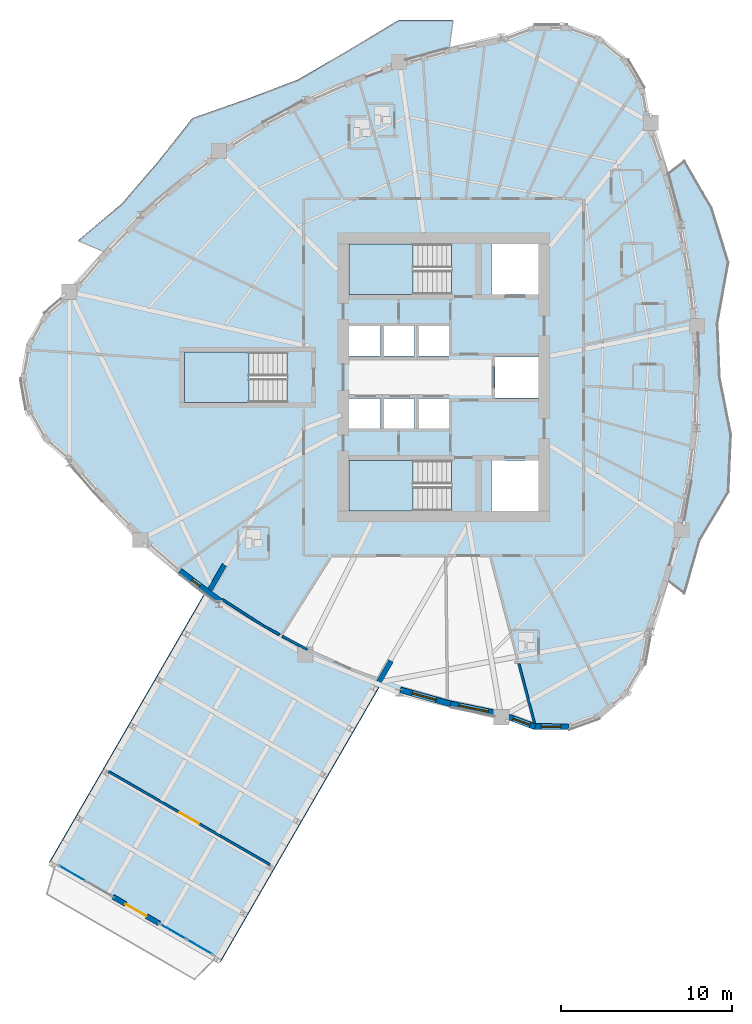
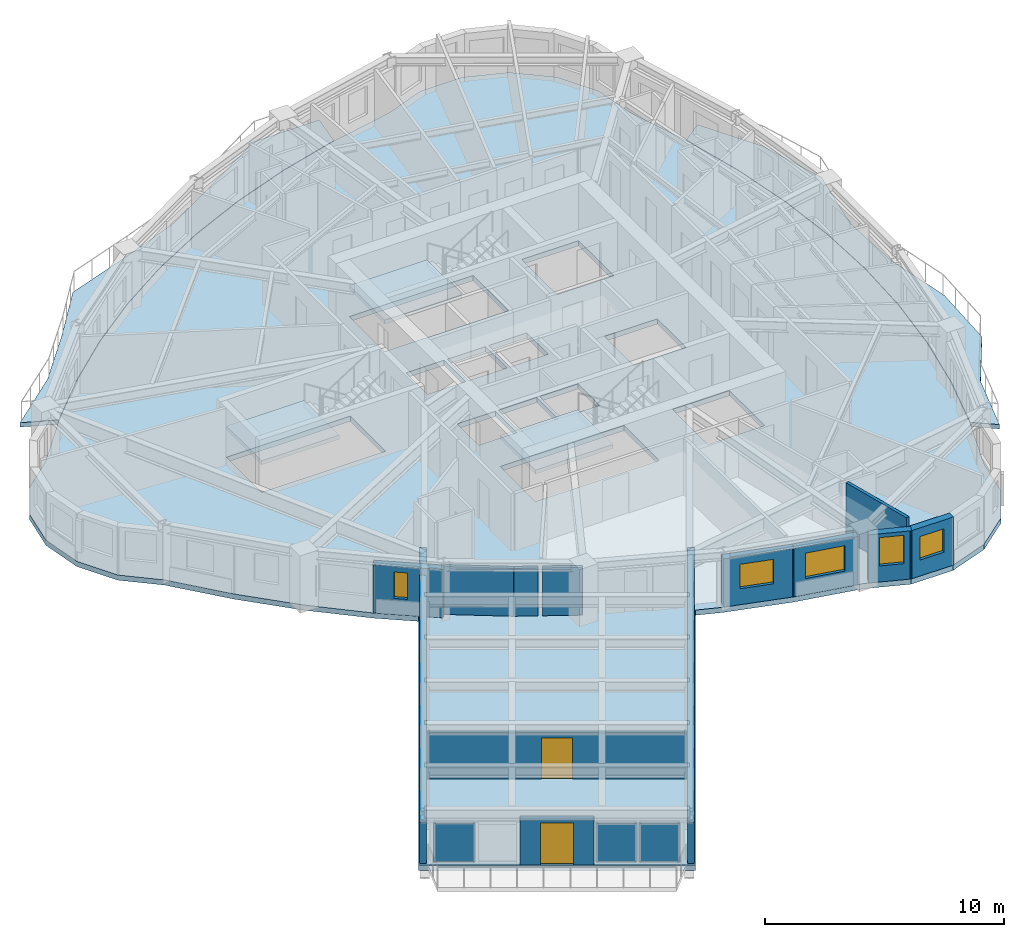
# One storey, part 4 of 17: 13 walls, 6 slabs, 5 windows, 3 plates, 2 doors, 7 openings, 5 elements without a shape of their own.
"""IFC4 building model written with IfcOpenShell, lengths in metres."""

import ifcopenshell
import ifcopenshell.guid

model = None  # the IFC model being written
_history = None  # IfcOwnerHistory: only IFC2X3 demands one
_inside = {}  # id of a spatial element -> (the spatial element, [elements in it])
_under = {}  # id of a project, library or spatial element -> (it, [spatial elements below it])
_declared = {}  # id of a project -> (the project, [libraries it declares])
_typed = {}  # id of a type object -> (the type object, [elements of that type])
_made_of = {}  # id of a material, layer set ... -> (it, [elements and type objects made of it])


def new_model(schema):
    """Start an empty IFC model of exactly this schema.

    Asked for "IFC4X3", IfcOpenShell would pick the latest addendum, in which some entities
    have other attributes; the version numbers below select the first issue.
    IFC2X3 requires an IfcOwnerHistory on every rooted entity: one is made here for all.
    """
    global model, _history
    if schema == "IFC4X3":
        model = ifcopenshell.file(schema_version=(4, 3, 0, 0))
    else:
        model = ifcopenshell.file(schema=schema)
    _inside.clear()
    _under.clear()
    _declared.clear()
    _typed.clear()
    _made_of.clear()
    _history = None
    if model.schema == "IFC2X3":
        org = make("IfcOrganization", Name="unknown")
        user = make(
            "IfcPersonAndOrganization",
            ThePerson=make("IfcPerson", FamilyName="unknown"),
            TheOrganization=org,
        )
        app = make(
            "IfcApplication",
            ApplicationDeveloper=org,
            Version="unknown",
            ApplicationFullName="unknown",
            ApplicationIdentifier="unknown",
        )
        _history = make(
            "IfcOwnerHistory",
            OwningUser=user,
            OwningApplication=app,
            ChangeAction="ADDED",
            CreationDate=0,
        )
    return model


def make(cls, **values):
    """One entity of the class cls with the attributes given. An attribute that is None is left unset."""
    return model.create_entity(
        cls, **{name: value for name, value in values.items() if value is not None}
    )


def rooted(cls, **values):
    """An entity with a GlobalId (a new one), such as an element, a storey or a relation."""
    return make(cls, GlobalId=ifcopenshell.guid.new(), OwnerHistory=_history, **values)


def si_unit(unit_type, name, prefix=None):
    """IfcSIUnit, for example si_unit("LENGTHUNIT", "METRE", prefix="MILLI")."""
    return make("IfcSIUnit", UnitType=unit_type, Prefix=prefix, Name=name)


def assignment(units):
    """IfcUnitAssignment: the units of a project."""
    return None if units is None else make("IfcUnitAssignment", Units=units)


def point(xyz):
    """IfcCartesianPoint."""
    return None if xyz is None else make("IfcCartesianPoint", Coordinates=xyz)


def direction(xyz):
    """IfcDirection."""
    return None if xyz is None else make("IfcDirection", DirectionRatios=xyz)


def frame(location, z_axis=None, x_axis=None):
    """IfcAxis2Placement3D, a coordinate frame: its origin and axes. An axis left out is left unset."""
    return make(
        "IfcAxis2Placement3D",
        Location=point(location),
        Axis=direction(z_axis),
        RefDirection=direction(x_axis),
    )


def frame_2d(location, x_axis=None):
    """IfcAxis2Placement2D, a coordinate frame in the plane: its origin and x axis."""
    return make(
        "IfcAxis2Placement2D", Location=point(location), RefDirection=direction(x_axis)
    )


def origin():
    """The frame at (0, 0, 0) with its axes left unset."""
    return frame((0.0, 0.0, 0.0))


def origin_2d():
    """The frame at (0, 0) in the plane with its x axis left unset."""
    return frame_2d((0.0, 0.0))


def place(relative_to, where):
    """IfcLocalPlacement: puts the frame where relative to a parent placement (None: the world)."""
    return make(
        "IfcLocalPlacement", PlacementRelTo=relative_to, RelativePlacement=where
    )


def context(
    kind, dimensions, precision=None, world=None, true_north=None, identifier=None
):
    """IfcGeometricRepresentationContext, for example the 3D "Model" context."""
    return make(
        "IfcGeometricRepresentationContext",
        ContextIdentifier=identifier,
        ContextType=kind,
        CoordinateSpaceDimension=dimensions,
        Precision=precision,
        WorldCoordinateSystem=world,
        TrueNorth=true_north,
    )


def subcontext(parent, identifier, kind, view, scale=None):
    """IfcGeometricRepresentationSubContext, for example "Body" below "Model"."""
    return make(
        "IfcGeometricRepresentationSubContext",
        ContextIdentifier=identifier,
        ContextType=kind,
        ParentContext=parent,
        TargetScale=scale,
        TargetView=view,
    )


def project(units=None, contexts=None):
    """IfcProject with its units and contexts."""
    return rooted(
        "IfcProject",
        Name="project",
        RepresentationContexts=contexts,
        UnitsInContext=assignment(units),
    )


def spatial(cls, under=None, at=None, **own):
    """A site, building, storey or space (cls), placed at a placement, below another one or the project."""
    s = rooted(cls, ObjectPlacement=at, **own)
    if under is not None:
        _under.setdefault(under.id(), (under, []))[1].append(s)
    return s


def polyline(points):
    """IfcPolyline through the points."""
    return make("IfcPolyline", Points=[point(p) for p in points])


def profile(cls, at=None, kind="AREA", **sizes):
    """A parametric profile (cls). Its sizes go by their IFC names, for example OverallWidth=200.0."""
    return make(cls, ProfileType=kind, Position=at, **sizes)


def rectangle(**sizes):
    """IfcRectangleProfileDef."""
    return profile("IfcRectangleProfileDef", **sizes)


def outline(outer, holes=None, kind="AREA"):
    """IfcArbitraryClosedProfileDef: a profile drawn as a closed curve; with holes, ...WithVoids."""
    if holes is None:
        return make("IfcArbitraryClosedProfileDef", ProfileType=kind, OuterCurve=outer)
    return make(
        "IfcArbitraryProfileDefWithVoids",
        ProfileType=kind,
        OuterCurve=outer,
        InnerCurves=holes,
    )


def extrude(swept, where, along, depth):
    """IfcExtrudedAreaSolid: the profile swept, set in the frame where, extruded along a direction by depth."""
    return make(
        "IfcExtrudedAreaSolid",
        SweptArea=swept,
        Position=where,
        ExtrudedDirection=direction(along),
        Depth=depth,
    )


def shape(context_of_items, identifier, shape_type, items):
    """IfcShapeRepresentation: the items that make up one representation, for example the "Body"."""
    return make(
        "IfcShapeRepresentation",
        ContextOfItems=context_of_items,
        RepresentationIdentifier=identifier,
        RepresentationType=shape_type,
        Items=items,
    )


def source(mapping_origin, context_of_items, identifier, shape_type, items):
    """IfcRepresentationMap: a shape defined once, which mapped items show again and again."""
    return make(
        "IfcRepresentationMap",
        MappingOrigin=mapping_origin,
        MappedRepresentation=shape(context_of_items, identifier, shape_type, items),
    )


def transform(
    local_origin,
    x_axis=None,
    y_axis=None,
    z_axis=None,
    scale=None,
    scale2=None,
    scale3=None,
    uniform=True,
):
    """IfcCartesianTransformationOperator3D, or its non-uniform kind. x_axis, y_axis, z_axis: its Axis1, 2, 3."""
    if uniform:
        return make(
            "IfcCartesianTransformationOperator3D",
            Axis1=direction(x_axis),
            Axis2=direction(y_axis),
            LocalOrigin=point(local_origin),
            Scale=scale,
            Axis3=direction(z_axis),
        )
    return make(
        "IfcCartesianTransformationOperator3DnonUniform",
        Axis1=direction(x_axis),
        Axis2=direction(y_axis),
        LocalOrigin=point(local_origin),
        Scale=scale,
        Axis3=direction(z_axis),
        Scale2=scale2,
        Scale3=scale3,
    )


def mapped(mapping_source, mapping_target):
    """IfcMappedItem: shows the shape of a source again, moved by a transform."""
    return make(
        "IfcMappedItem", MappingSource=mapping_source, MappingTarget=mapping_target
    )


def material(Name=None, Category=None):
    """IfcMaterial."""
    return make("IfcMaterial", Name=Name, Category=Category)


def layer(
    of_material, thickness, ventilated=None, Name=None, Category=None, Priority=None
):
    """IfcMaterialLayer: one layer of a wall or slab, of a material (None: an air gap)."""
    return make(
        "IfcMaterialLayer",
        Material=of_material,
        LayerThickness=thickness,
        IsVentilated=ventilated,
        Name=Name,
        Category=Category,
        Priority=Priority,
    )


def layer_set(layers, Name=None):
    """IfcMaterialLayerSet."""
    return make("IfcMaterialLayerSet", MaterialLayers=layers, LayerSetName=Name)


def made_of(thing, what):
    """Note that an element or type object is made of a material, layer set ...; save() writes the relation."""
    if what is not None:
        _made_of.setdefault(what.id(), (what, []))[1].append(thing)
    return thing


def type_object(cls, material=None, **own):
    """A type object (cls), such as IfcWallType, which elements share."""
    return made_of(rooted(cls, **own), material)


def element(
    cls,
    number,
    at=None,
    inside=None,
    cuts=None,
    type_object=None,
    material=None,
    context=None,
    identifier="Body",
    shape_type=None,
    held_by="IfcProductDefinitionShape",
    body=None,
    shapes=None,
    **own,
):
    """One element of the class cls, such as IfcWall. Its Tag is "e" and its number.

    at: its placement. inside: the storey or other place that contains it. cuts: it is an
    opening in that element (IfcRelVoidsElement). A single representation is given by context,
    identifier, shape_type and body (its items); several are given by shapes. held_by: the class
    of the entity that holds the representations. save() writes the other relations.
    """
    e = rooted(cls, Tag="e%d" % number, ObjectPlacement=at, **own)
    if body is not None:
        shapes = [shape(context, identifier, shape_type, body)]
    if shapes is not None:
        e.Representation = make(held_by, Representations=shapes)
    if inside is not None:
        _inside.setdefault(inside.id(), (inside, []))[1].append(e)
    if cuts is not None:
        rooted(
            "IfcRelVoidsElement", RelatingBuildingElement=cuts, RelatedOpeningElement=e
        )
    if type_object is not None:
        _typed.setdefault(type_object.id(), (type_object, []))[1].append(e)
    return made_of(e, material)


def fill(opening, filler):
    """IfcRelFillsElement: the door or window that sits in an opening."""
    return rooted(
        "IfcRelFillsElement",
        RelatingOpeningElement=opening,
        RelatedBuildingElement=filler,
    )


def aggregate(whole, parts):
    """IfcRelAggregates: a whole, such as a stair, and the parts it consists of."""
    return rooted("IfcRelAggregates", RelatingObject=whole, RelatedObjects=parts)


def save(model, path):
    """Write the relations noted so far, then the file.

    IfcRelAggregates (storeys below a building ...), IfcRelContainedInSpatialStructure (elements
    in a storey), IfcRelDefinesByType, IfcRelAssociatesMaterial and IfcRelDeclares: one each for
    every whole, place, type object, material and project.
    """
    for whole, parts in _under.values():
        aggregate(whole, parts)
    for where, things in _inside.values():
        rooted(
            "IfcRelContainedInSpatialStructure",
            RelatedElements=things,
            RelatingStructure=where,
        )
    for kind, things in _typed.values():
        rooted("IfcRelDefinesByType", RelatedObjects=things, RelatingType=kind)
    for what, things in _made_of.values():
        rooted("IfcRelAssociatesMaterial", RelatedObjects=things, RelatingMaterial=what)
    for by, libraries in _declared.values():
        rooted("IfcRelDeclares", RelatingContext=by, RelatedDefinitions=libraries)
    model.write(path)


model = new_model("IFC4")

# Units and contexts
model_context = context("Model", 3, precision=1e-05, world=origin(), true_north=direction((0.0, 1.0)))
body_context = subcontext(model_context, "Body", "Model", "MODEL_VIEW")
ifc_project = project(units=[si_unit("LENGTHUNIT", "METRE"), si_unit("AREAUNIT", "SQUARE_METRE"), si_unit("VOLUMEUNIT", "CUBIC_METRE"), si_unit("PLANEANGLEUNIT", "RADIAN"), si_unit("MASSUNIT", "GRAM", prefix="KILO")], contexts=[model_context])

# Site, building, storey
site_placement = place(None, origin())
site = spatial("IfcSite", under=ifc_project, at=site_placement, CompositionType="ELEMENT")
building_placement = place(site_placement, origin())
building = spatial("IfcBuilding", under=site, at=building_placement, Name="Qafzar Sky-Pleat Residences", CompositionType="ELEMENT")
storey_placement = place(building_placement, frame((0.0, 0.0, 112.0)))
storey = spatial("IfcBuildingStorey", under=building, at=storey_placement, Name="L33", CompositionType="ELEMENT", Elevation=112.0)

# Slabs
ifc_material_1 = material(Name="Concrete C40/50", Category="concrete")
ifc_layer_1 = layer(ifc_material_1, 0.219970703125)
ifc_layer_set_1 = layer_set([ifc_layer_1], Name="Concrete C40/50")
slab_type_1 = type_object("IfcSlabType", Name="SLAB-BAL-220", PredefinedType="USERDEFINED", material=ifc_layer_set_1)
slab_1_placement = place(storey_placement, frame((0.0, 0.0, -0.219970703125)))
element("IfcSlab", 1, at=slab_1_placement, inside=storey, type_object=slab_type_1, Name="L33 Pleated Stone Balcony 1", ObjectType="BALCONY", PredefinedType="USERDEFINED", context=body_context, shape_type="SweptSolid", body=[
    extrude(outline(polyline([(44.269287109375, 17.06884765625), (44.83544921875, 20.0458984375), (45.175048828125, 23.02294921875), (45.288330078125, 26.0), (45.175048828125, 28.97705078125), (44.83544921875, 31.9541015625), (44.269287109375, 34.93115234375), (43.47705078125, 37.90771484375), (44.458251953125, 38.66259765625), (46.055908203125, 35.911865234375), (47.032958984375, 32.7314453125), (46.39501953125, 29.188720703125), (46.5263671875, 26.0), (47.18310546875, 22.6748046875), (47.032958984375, 19.2685546875), (45.354736328125, 16.47314453125), (44.458251953125, 13.33740234375), (43.47705078125, 14.09228515625), (44.269287109375, 17.06884765625)])), origin(), (0.0, 0.0, 1.0), 0.219970703125),
])
slab_2_placement = place(storey_placement, frame((0.0, 0.0, -0.219970703125)))
element("IfcSlab", 2, at=slab_2_placement, inside=storey, type_object=slab_type_1, Name="L33 Pleated Stone Balcony 2", ObjectType="BALCONY", PredefinedType="USERDEFINED", context=body_context, shape_type="SweptSolid", body=[
    extrude(outline(polyline([(27.753662109375, 44.442626953125), (24.946044921875, 43.43408203125), (22.251708984375, 42.23388671875), (19.670166015625, 40.84130859375), (17.201904296875, 39.256591796875), (14.84716796875, 37.480224609375), (12.60546875, 35.51171875), (10.477294921875, 33.351318359375), (8.966796875, 33.985107421875), (11.55224609375, 36.162353515625), (13.613037109375, 38.557373046875), (15.662109375, 41.14697265625), (18.868408203125, 42.269775390625), (21.83837890625, 43.40087890625), (24.663330078125, 45.047607421875), (27.72119140625, 46.88037109375), (30.8994140625, 46.88134765625), (30.67431640625, 45.2587890625), (27.753662109375, 44.442626953125)])), origin(), (0.0, 0.0, 1.0), 0.219970703125),
])

# Stair, slab
stair_type = type_object("IfcStairType", Name="STAIR-H320", PredefinedType="HALF_TURN_STAIR", material=ifc_material_1)
stair_1_placement = place(storey_placement, origin())
stair_1 = element("IfcStair", 3, at=stair_1_placement, inside=storey, type_object=stair_type, Name="L33 Protected Exit Stair ST1", PredefinedType="HALF_TURN_STAIR")
ifc_layer_2 = layer(ifc_material_1, 0.199951171875)
ifc_layer_set_2 = layer_set([ifc_layer_2], Name="Concrete C40/50")
slab_type_2 = type_object("IfcSlabType", Name="SLAB-LANDING-200", PredefinedType="LANDING", material=ifc_layer_set_2)
slab_3_placement = place(storey_placement, frame((0.0, 0.0, 1.39990234375)))
slab_3 = element("IfcSlab", 4, at=slab_3_placement, type_object=slab_type_2, Name="ST1 landing 1", PredefinedType="LANDING", context=body_context, shape_type="SweptSolid", body=[
    extrude(outline(polyline([(28.56005859375, 21.14990234375), (24.800048828125, 21.14990234375), (24.800048828125, 18.199951171875), (28.56005859375, 18.199951171875), (28.56005859375, 21.14990234375)])), origin(), (0.0, 0.0, 1.0), 0.2001953125),
])
aggregate(stair_1, [slab_3])

stair_2_placement = place(storey_placement, origin())
stair_2 = element("IfcStair", 5, at=stair_2_placement, inside=storey, type_object=stair_type, Name="L33 Protected Exit Stair ST2", PredefinedType="HALF_TURN_STAIR")
slab_4_placement = place(storey_placement, frame((0.0, 0.0, 1.39990234375)))
slab_4 = element("IfcSlab", 6, at=slab_4_placement, type_object=slab_type_2, Name="ST2 landing 1", PredefinedType="LANDING", context=body_context, shape_type="SweptSolid", body=[
    extrude(outline(polyline([(28.56005859375, 33.800048828125), (24.800048828125, 33.800048828125), (24.800048828125, 30.85009765625), (28.56005859375, 30.85009765625), (28.56005859375, 33.800048828125)])), origin(), (0.0, 0.0, 1.0), 0.2001953125),
])
aggregate(stair_2, [slab_4])

stair_3_placement = place(storey_placement, origin())
stair_3 = element("IfcStair", 7, at=stair_3_placement, inside=storey, type_object=stair_type, Name="L33 Protected Exit Stair ST3", PredefinedType="HALF_TURN_STAIR")
slab_5_placement = place(storey_placement, frame((0.0, 0.0, 1.39990234375)))
slab_5 = element("IfcSlab", 8, at=slab_5_placement, type_object=slab_type_2, Name="ST3 landing 1", PredefinedType="LANDING", context=body_context, shape_type="SweptSolid", body=[
    extrude(outline(polyline([(18.9599609375, 27.47509765625), (15.199951171875, 27.47509765625), (15.199951171875, 24.52490234375), (18.9599609375, 24.52490234375), (18.9599609375, 27.47509765625)])), origin(), (0.0, 0.0, 1.0), 0.2001953125),
])
aggregate(stair_3, [slab_5])

# Slab
ifc_layer_3 = layer(ifc_material_1, 0.264892578125)
ifc_layer_set_3 = layer_set([ifc_layer_3], Name="Concrete C40/50")
slab_type_3 = type_object("IfcSlabType", Name="SLAB-SB-265", PredefinedType="FLOOR", material=ifc_layer_set_3)
slab_6_placement = place(storey_placement, frame((0.0, 0.0, -0.264892578125)))
element("IfcSlab", 9, at=slab_6_placement, inside=storey, type_object=slab_type_3, Name="L33 Structural Floor Slab", PredefinedType="FLOOR", context=body_context, shape_type="SweptSolid", body=[
    extrude(outline(polyline([(17.31787109375, -8.172607421875), (7.27197265625, -2.37255859375), (16.3701171875, 13.3857421875), (14.856201171875, 14.527587890625), (12.61572265625, 16.49462890625), (10.48828125, 18.6533203125), (8.47412109375, 21.003662109375), (6.9541015625, 22.298828125), (5.963623046875, 24.032958984375), (5.619873046875, 26.0), (5.963623046875, 27.967041015625), (6.9541015625, 29.701171875), (8.47412109375, 30.996337890625), (10.48828125, 33.3466796875), (12.61572265625, 35.50537109375), (14.856201171875, 37.472412109375), (17.20947265625, 39.247314453125), (19.676025390625, 40.830810546875), (22.255615234375, 42.222412109375), (24.947998046875, 43.42236328125), (27.75390625, 44.4306640625), (30.672607421875, 45.2470703125), (33.704345703125, 45.87158203125), (35.599365234375, 46.57958984375), (37.622314453125, 46.593505859375), (39.527099609375, 45.91162109375), (41.081787109375, 44.6171875), (42.09716796875, 42.867431640625), (42.449951171875, 40.87548828125), (43.467529296875, 37.900390625), (44.2587890625, 34.92529296875), (44.82421875, 31.9501953125), (45.163330078125, 28.97509765625), (45.2763671875, 26.0), (45.163330078125, 23.02490234375), (44.82421875, 20.0498046875), (44.2587890625, 17.07470703125), (43.467529296875, 14.099609375), (42.449951171875, 11.12451171875), (42.09716796875, 9.132568359375), (41.081787109375, 7.3828125), (39.527099609375, 6.08837890625), (37.622314453125, 5.406494140625), (35.599365234375, 5.42041015625), (33.704345703125, 6.12841796875), (30.672607421875, 6.7529296875), (27.75390625, 7.5693359375), (26.637939453125, 7.970458984375), (17.31787109375, -8.172607421875)]), holes=[polyline([(30.797119140625, 21.14990234375), (24.800048828125, 21.14990234375), (24.800048828125, 18.199951171875), (30.797119140625, 18.199951171875), (30.797119140625, 21.14990234375)]), polyline([(30.797119140625, 33.800048828125), (24.800048828125, 33.800048828125), (24.800048828125, 30.85009765625), (30.797119140625, 30.85009765625), (30.797119140625, 33.800048828125)]), polyline([(21.197021484375, 27.47509765625), (15.199951171875, 27.47509765625), (15.199951171875, 24.52490234375), (21.197021484375, 24.52490234375), (21.197021484375, 27.47509765625)]), polyline([(24.800048828125, 22.949951171875), (26.64990234375, 22.949951171875), (26.64990234375, 24.75), (24.800048828125, 24.75), (24.800048828125, 22.949951171875)]), polyline([(26.800048828125, 22.949951171875), (28.64990234375, 22.949951171875), (28.64990234375, 24.75), (26.800048828125, 24.75), (26.800048828125, 22.949951171875)]), polyline([(28.800048828125, 22.949951171875), (30.64990234375, 22.949951171875), (30.64990234375, 24.75), (28.800048828125, 24.75), (28.800048828125, 22.949951171875)]), polyline([(24.800048828125, 27.25), (26.64990234375, 27.25), (26.64990234375, 29.050048828125), (24.800048828125, 29.050048828125), (24.800048828125, 27.25)]), polyline([(26.800048828125, 27.25), (28.64990234375, 27.25), (28.64990234375, 29.050048828125), (26.800048828125, 29.050048828125), (26.800048828125, 27.25)]), polyline([(28.800048828125, 27.25), (30.64990234375, 27.25), (30.64990234375, 29.050048828125), (28.800048828125, 29.050048828125), (28.800048828125, 27.25)]), polyline([(33.14990234375, 18.199951171875), (35.89990234375, 18.199951171875), (35.89990234375, 21.14990234375), (33.14990234375, 21.14990234375), (33.14990234375, 18.199951171875)]), polyline([(33.14990234375, 30.85009765625), (35.89990234375, 30.85009765625), (35.89990234375, 33.800048828125), (33.14990234375, 33.800048828125), (33.14990234375, 30.85009765625)]), polyline([(33.35009765625, 24.800048828125), (35.89990234375, 24.800048828125), (35.89990234375, 27.199951171875), (33.35009765625, 27.199951171875), (33.35009765625, 24.800048828125)])]), origin(), (0.0, 0.0, 1.0), 0.264892578125),
])

# Curtain wall, plates
ifc_material_2 = material(Name="Anodised bronze aluminium framing", Category="aluminium")
ifc_layer_4 = layer(ifc_material_2, 0.239990234375)
ifc_layer_set_4 = layer_set([ifc_layer_4], Name="Anodised bronze aluminium framing")
curtain_wall_type_1 = type_object("IfcCurtainWallType", Name="CW-SYS-02", PredefinedType="NOTDEFINED", material=ifc_layer_set_4)
curtain_wall_1_placement = place(storey_placement, origin())
curtain_wall_1 = element("IfcCurtainWall", 10, at=curtain_wall_1_placement, inside=storey, type_object=curtain_wall_type_1, Name="L33 CW-02 Curtain Wall CW-L33-SB-3-PROW-L", PredefinedType="NOTDEFINED")
ifc_material_3 = material(Name="Solar-control double low-E glazing", Category="glass")
ifc_layer_5 = layer(ifc_material_3, 0.031982421875)
ifc_layer_set_5 = layer_set([ifc_layer_5], Name="Solar-control double low-E glazing")
plate_type_1 = type_object("IfcPlateType", Name="CWP-02", PredefinedType="CURTAIN_PANEL", material=ifc_layer_set_5)
shared_shape_1 = source(origin(), body_context, "Body", "SweptSolid", [
    extrude(rectangle(XDim=1.7275390625, YDim=0.031982421875, at=origin_2d()), origin(), (0.0, 0.0, 1.0), 1.965087890625),
])
plate_1_placement = place(storey_placement, frame((16.0947265625, -7.293212890625, 0.0751953125), z_axis=(0.0, 0.0, 1.0), x_axis=(-0.866027204994, 0.499996880201, 0.0)))
plate_1 = element("IfcPlate", 11, at=plate_1_placement, type_object=plate_type_1, Name="CW-02 panel 1.1", PredefinedType="CURTAIN_PANEL", context=body_context, shape_type="MappedRepresentation", body=[
    mapped(shared_shape_1, transform((0.0, 0.0, 0.0), x_axis=(1.0, 0.0, 0.0), y_axis=(0.0, 1.0, 0.0), z_axis=(0.0, 0.0, 1.0), scale=1.0)),
])
plate_2_placement = place(storey_placement, frame((14.53369140625, -6.39208984375, 0.0751953125), z_axis=(0.0, 0.0, 1.0), x_axis=(-0.866027204994, 0.499996880201, 0.0)))
plate_2 = element("IfcPlate", 12, at=plate_2_placement, type_object=plate_type_1, Name="CW-02 panel 2.1", PredefinedType="CURTAIN_PANEL", context=body_context, shape_type="MappedRepresentation", body=[
    mapped(shared_shape_1, transform((0.0, 0.0, 0.0), x_axis=(1.0, 0.0, 0.0), y_axis=(0.0, 1.0, 0.0), z_axis=(0.0, 0.0, 1.0), scale=1.0)),
])
aggregate(curtain_wall_1, [plate_1, plate_2])

# Curtain wall, plate
ifc_layer_6 = layer(ifc_material_2, 0.219970703125)
ifc_layer_set_6 = layer_set([ifc_layer_6], Name="Anodised bronze aluminium framing")
curtain_wall_type_2 = type_object("IfcCurtainWallType", Name="CW-SYS-03", PredefinedType="NOTDEFINED", material=ifc_layer_set_6)
curtain_wall_2_placement = place(storey_placement, origin())
curtain_wall_2 = element("IfcCurtainWall", 13, at=curtain_wall_2_placement, inside=storey, type_object=curtain_wall_type_2, Name="L33 CW-03 Curtain Wall CW-L33-SB-3-PROW-R", PredefinedType="NOTDEFINED")
ifc_layer_7 = layer(ifc_material_3, 0.030029296875)
ifc_layer_set_7 = layer_set([ifc_layer_7], Name="Solar-control double low-E glazing")
plate_type_2 = type_object("IfcPlateType", Name="CWP-03", PredefinedType="CURTAIN_PANEL", material=ifc_layer_set_7)
shared_shape_2 = source(origin(), body_context, "Body", "SweptSolid", [
    extrude(rectangle(XDim=1.735107421875, YDim=0.030029296875, at=origin_2d()), origin(), (0.0, 0.0, 1.0), 1.97509765625),
])
plate_3_placement = place(storey_placement, frame((8.643798828125, -2.991455078125, 0.070068359375), z_axis=(0.0, 0.0, 1.0), x_axis=(-0.866027204994, 0.499996880201, 0.0)))
plate_3 = element("IfcPlate", 14, at=plate_3_placement, type_object=plate_type_2, Name="CW-03 panel 2.1", PredefinedType="CURTAIN_PANEL", context=body_context, shape_type="MappedRepresentation", body=[
    mapped(shared_shape_2, transform((0.0, 0.0, 0.0), x_axis=(1.0, 0.0, 0.0), y_axis=(0.0, 1.0, 0.0), z_axis=(0.0, 0.0, 1.0), scale=1.0)),
])
aggregate(curtain_wall_2, [plate_3])

# Wall, opening, door
ifc_material_4 = material(Name="Acoustic gypsum plasterboard partition", Category="gypsum")
ifc_layer_8 = layer(ifc_material_4, 0.14501953125)
ifc_layer_set_8 = layer_set([ifc_layer_8], Name="Acoustic gypsum plasterboard partition")
wall_type_1 = type_object("IfcWallType", Name="PART-UNIT-145", PredefinedType="PARTITIONING", material=ifc_layer_set_8)
wall_1_placement = place(storey_placement, frame((20.2060546875, -2.493896484375, 0.0), z_axis=(0.0, 0.0, 1.0), x_axis=(-0.866034115916, 0.499984909842, 0.0)))
wall_1 = element("IfcWall", 15, at=wall_1_placement, inside=storey, type_object=wall_type_1, Name="L33 Partition Wall PART-L33-PW-001", PredefinedType="PARTITIONING", context=body_context, shape_type="SweptSolid", body=[
    extrude(rectangle(XDim=10.924072265625, YDim=0.14501953125, at=frame_2d((5.4619140625, 0.0))), origin(), (0.0, 0.0, 1.0), 2.35302734375),
])
opening_1_placement = place(wall_1_placement, frame((4.812255859375, 0.0, 0.0)))
opening_1 = element("IfcOpeningElement", 16, at=opening_1_placement, cuts=wall_1, Name="Opening ID-05", PredefinedType="OPENING", context=body_context, shape_type="SweptSolid", body=[
    extrude(rectangle(XDim=1.300048828125, YDim=2.10009765625, at=frame_2d((0.64990234375, 1.050048828125))), frame((0.0, 0.08251953125, 0.0), z_axis=(0.0, -1.0, 0.0), x_axis=(1.0, 0.0, 0.0)), (0.0, 0.0, 1.0), 0.1650390625),
])
ifc_material_5 = material(Name="Timber-faced fire door", Category="wood")
door_type_1 = type_object("IfcDoorType", Name="DR-LNG-1300", OperationType="DOUBLE_DOOR_SINGLE_SWING", PredefinedType="DOOR", material=ifc_material_5)
shared_shape_3 = source(origin(), body_context, "Body", "SweptSolid", [
    extrude(rectangle(XDim=1.300048828125, YDim=2.10009765625, at=frame_2d((0.64990234375, 1.050048828125))), frame((0.0, 0.02490234375, 0.0), z_axis=(0.0, -1.0, 0.0), x_axis=(1.0, 0.0, 0.0)), (0.0, 0.0, 1.0), 0.050048828125),
])
door_1_placement = place(opening_1_placement, origin())
door_1 = element("IfcDoor", 17, at=door_1_placement, inside=storey, type_object=door_type_1, Name="L33 Panorama Sky Lounge Door", OperationType="DOUBLE_DOOR_SINGLE_SWING", OverallHeight=2.10009765625, OverallWidth=1.300048828125, PredefinedType="DOOR", context=body_context, shape_type="MappedRepresentation", body=[
    mapped(shared_shape_3, transform((0.0, 0.0, 0.0), x_axis=(1.0, 0.0, 0.0), y_axis=(0.0, 1.0, 0.0), z_axis=(0.0, 0.0, 1.0), scale=1.0)),
])
fill(opening_1, door_1)

# Walls
wall_2_placement = place(storey_placement, frame((34.73681640625, 9.263916015625, 0.0), z_axis=(0.0, 0.0, 1.0), x_axis=(0.253650405993, -0.967295958608, 0.0)))
element("IfcWall", 18, at=wall_2_placement, inside=storey, type_object=wall_type_1, Name="L33 Partition Wall PART-L33-PW-046", PredefinedType="PARTITIONING", context=body_context, shape_type="SweptSolid", body=[
    extrude(rectangle(XDim=3.607421875, YDim=0.14501953125, at=frame_2d((1.8037109375, 0.0))), origin(), (0.0, 0.0, 1.0), 2.93505859375),
])
wall_3_placement = place(storey_placement, frame((17.39794921875, 13.02392578125, 0.0), z_axis=(0.0, 0.0, 1.0), x_axis=(0.841590343852, -0.540116369994, 0.0)))
element("IfcWall", 19, at=wall_3_placement, inside=storey, type_object=wall_type_1, Name="L33 Partition Wall PART-L33-PW-052", PredefinedType="PARTITIONING", context=body_context, shape_type="SweptSolid", body=[
    extrude(rectangle(XDim=2.906494140625, YDim=0.14501953125, at=frame_2d((1.453125, 0.0))), origin(), (0.0, 0.0, 1.0), 2.452880859375),
])
wall_4_placement = place(storey_placement, frame((20.92041015625, 10.873291015625, 0.0), z_axis=(0.0, 0.0, 1.0), x_axis=(0.879929881444, -0.475103571595, 0.0)))
element("IfcWall", 20, at=wall_4_placement, inside=storey, type_object=wall_type_1, Name="L33 Partition Wall PART-L33-PW-064", PredefinedType="PARTITIONING", context=body_context, shape_type="SweptSolid", body=[
    extrude(rectangle(XDim=1.66748046875, YDim=0.14501953125, at=frame_2d((0.833740234375, 0.0))), origin(), (0.0, 0.0, 1.0), 2.452880859375),
])
wall_5_placement = place(storey_placement, frame((19.857177734375, 11.447021484375, 0.0), z_axis=(0.0, 0.0, 1.0), x_axis=(0.8800411893, -0.474897362738, 0.0)))
element("IfcWall", 21, at=wall_5_placement, inside=storey, type_object=wall_type_1, Name="L33 Partition Wall PART-L33-PW-086", PredefinedType="PARTITIONING", context=body_context, shape_type="SweptSolid", body=[
    extrude(rectangle(XDim=1.02197265625, YDim=0.14501953125, at=frame_2d((0.510986328125, 0.0))), origin(), (0.0, 0.0, 1.0), 2.452880859375),
])
ifc_material_6 = material(Name="Precast concrete C40/50 with honed Riyadh limestone", Category="concrete")
ifc_layer_9 = layer(ifc_material_6, 0.300048828125)
ifc_layer_set_9 = layer_set([ifc_layer_9], Name="Precast concrete C40/50 with honed Riyadh limestone")
wall_type_2 = type_object("IfcWallType", Name="WALL-EXT-300", PredefinedType="SOLIDWALL", material=ifc_layer_set_9)
wall_6_placement = place(storey_placement, frame((27.26708984375, 9.420166015625, 0.0), z_axis=(0.0, 0.0, 1.0), x_axis=(-0.500001212782, -0.866024703583, 0.0)))
element("IfcWall", 22, at=wall_6_placement, inside=storey, type_object=wall_type_2, Name="L33 SB-3 Side Spandrel Wall L", PredefinedType="SOLIDWALL", context=body_context, shape_type="SweptSolid", body=[
    extrude(rectangle(XDim=20.09033203125, YDim=0.300048828125, at=frame_2d((10.045166015625, 0.0))), origin(), (0.0, 0.0, 1.0), 2.114990234375),
])
wall_7_placement = place(storey_placement, frame((17.532958984375, 15.040283203125, 0.0), z_axis=(0.0, 0.0, 1.0), x_axis=(-0.499995950774, -0.866027741594, 0.0)))
element("IfcWall", 23, at=wall_7_placement, inside=storey, type_object=wall_type_2, Name="L33 SB-3 Side Spandrel Wall R", PredefinedType="SOLIDWALL", context=body_context, shape_type="SweptSolid", body=[
    extrude(rectangle(XDim=20.090576171875, YDim=0.300048828125, at=frame_2d((10.04541015625, 0.0))), origin(), (0.0, 0.0, 1.0), 2.114990234375),
])

# Wall, opening, door
wall_8_placement = place(storey_placement, frame((13.720703125, -5.922607421875, 0.0), z_axis=(0.0, 0.0, 1.0), x_axis=(-0.866009661879, 0.500027264788, 0.0)))
wall_8 = element("IfcWall", 24, at=wall_8_placement, inside=storey, type_object=wall_type_2, Name="L33 SB-3 Prow Portal Wall", PredefinedType="SOLIDWALL", context=body_context, shape_type="SweptSolid", body=[
    extrude(rectangle(XDim=3.119873046875, YDim=0.300048828125, at=frame_2d((1.56005859375, 0.0))), origin(), (0.0, 0.0, 1.0), 2.300048828125),
])
opening_2_placement = place(wall_8_placement, frame((0.860107421875, 0.0, 0.0)))
opening_2 = element("IfcOpeningElement", 25, at=opening_2_placement, cuts=wall_8, Name="Opening ED-07", PredefinedType="OPENING", context=body_context, shape_type="SweptSolid", body=[
    extrude(rectangle(XDim=1.39990234375, YDim=2.14990234375, at=frame_2d((0.699951171875, 1.074951171875))), frame((0.0, 0.16015625, 0.0), z_axis=(0.0, -1.0, 0.0), x_axis=(1.0, 0.0, 0.0)), (0.0, 0.0, 1.0), 0.320068359375),
])
ifc_material_7 = material(Name="Glazed bronze aluminium door", Category="aluminium")
door_type_2 = type_object("IfcDoorType", Name="DR-SB-1400", OperationType="DOUBLE_DOOR_SINGLE_SWING", PredefinedType="DOOR", material=ifc_material_7)
shared_shape_4 = source(origin(), body_context, "Body", "SweptSolid", [
    extrude(rectangle(XDim=1.39990234375, YDim=2.14990234375, at=frame_2d((0.699951171875, 1.074951171875))), frame((0.0, 0.02490234375, 0.0), z_axis=(0.0, -1.0, 0.0), x_axis=(1.0, 0.0, 0.0)), (0.0, 0.0, 1.0), 0.050048828125),
])
door_2_placement = place(opening_2_placement, origin())
door_2 = element("IfcDoor", 26, at=door_2_placement, inside=storey, type_object=door_type_2, Name="L33 SB-3 Tip Balcony Glazed Door", OperationType="DOUBLE_DOOR_SINGLE_SWING", OverallHeight=2.14990234375, OverallWidth=1.39990234375, PredefinedType="DOOR", context=body_context, shape_type="MappedRepresentation", body=[
    mapped(shared_shape_4, transform((0.0, 0.0, 0.0), x_axis=(1.0, 0.0, 0.0), y_axis=(0.0, 1.0, 0.0), z_axis=(0.0, 0.0, 1.0), scale=1.0)),
])
fill(opening_2, door_2)

# Wall, opening, window
ifc_layer_10 = layer(ifc_material_6, 0.340087890625)
ifc_layer_set_10 = layer_set([ifc_layer_10], Name="Precast concrete C40/50 with honed Riyadh limestone")
wall_type_3 = type_object("IfcWallType", Name="WALL-EXT-340", PredefinedType="SOLIDWALL", material=ifc_layer_set_10)
wall_9_placement = place(storey_placement, frame((14.927978515625, 14.686279296875, 0.0), z_axis=(0.0, 0.0, 1.0), x_axis=(0.798387010211, -0.602144651995, 0.0)))
wall_9 = element("IfcWall", 27, at=wall_9_placement, inside=storey, type_object=wall_type_3, Name="L33 Limestone Facade Wall 10", PredefinedType="SOLIDWALL", context=body_context, shape_type="SweptSolid", body=[
    extrude(rectangle(XDim=2.9658203125, YDim=0.340087890625, at=frame_2d((1.48291015625, 0.0))), origin(), (0.0, 0.0, 1.0), 2.465087890625),
])
opening_3_placement = place(wall_9_placement, frame((0.890869140625, 0.0, 0.820068359375)))
opening_3 = element("IfcOpeningElement", 28, at=opening_3_placement, cuts=wall_9, Name="Opening WN-17", PredefinedType="OPENING", context=body_context, shape_type="SweptSolid", body=[
    extrude(rectangle(XDim=0.580078125, YDim=1.35009765625, at=frame_2d((0.2900390625, 0.675048828125))), frame((0.0, 0.18017578125, 0.0), z_axis=(0.0, -1.0, 0.0), x_axis=(1.0, 0.0, 0.0)), (0.0, 0.0, 1.0), 0.360107421875),
])
ifc_material_8 = material(Name="Solar-control low-E glass in bronze aluminium frame", Category="glass")
window_type_1 = type_object("IfcWindowType", Name="WIN-17", PartitioningType="SINGLE_PANEL", PredefinedType="WINDOW", material=ifc_material_8)
shared_shape_5 = source(origin(), body_context, "Body", "SweptSolid", [
    extrude(rectangle(XDim=0.580078125, YDim=1.35009765625, at=frame_2d((0.2900390625, 0.675048828125))), frame((0.0, 0.030029296875, 0.0), z_axis=(0.0, -1.0, 0.0), x_axis=(1.0, 0.0, 0.0)), (0.0, 0.0, 1.0), 0.06005859375),
])
window_1_placement = place(opening_3_placement, origin())
window_1 = element("IfcWindow", 29, at=window_1_placement, inside=storey, type_object=window_type_1, Name="L33 Bedroom Casement Window BD-1", OverallHeight=1.35009765625, OverallWidth=0.580078125, PartitioningType="SINGLE_PANEL", PredefinedType="WINDOW", context=body_context, shape_type="MappedRepresentation", body=[
    mapped(shared_shape_5, transform((0.0, 0.0, 0.0), x_axis=(1.0, 0.0, 0.0), y_axis=(0.0, 1.0, 0.0), z_axis=(0.0, 0.0, 1.0), scale=1.0)),
])
fill(opening_3, window_1)

wall_10_placement = place(storey_placement, frame((27.81884765625, 7.727783203125, 0.0), z_axis=(0.0, 0.0, 1.0), x_axis=(0.963032186905, -0.269386352632, 0.0)))
wall_10 = element("IfcWall", 30, at=wall_10_placement, inside=storey, type_object=wall_type_3, Name="L33 Limestone Facade Wall 15", PredefinedType="SOLIDWALL", context=body_context, shape_type="SweptSolid", body=[
    extrude(rectangle(XDim=3.048828125, YDim=0.340087890625, at=frame_2d((1.5244140625, 0.0))), origin(), (0.0, 0.0, 1.0), 2.465087890625),
])
opening_4_placement = place(wall_10_placement, frame((0.71044921875, 0.0, 0.820068359375)))
opening_4 = element("IfcOpeningElement", 31, at=opening_4_placement, cuts=wall_10, Name="Opening WN-15", PredefinedType="OPENING", context=body_context, shape_type="SweptSolid", body=[
    extrude(rectangle(XDim=1.449951171875, YDim=1.25, at=frame_2d((0.72509765625, 0.625))), frame((0.0, 0.18017578125, 0.0), z_axis=(0.0, -1.0, 0.0), x_axis=(1.0, 0.0, 0.0)), (0.0, 0.0, 1.0), 0.360107421875),
])
window_type_2 = type_object("IfcWindowType", Name="WIN-15", PartitioningType="SINGLE_PANEL", PredefinedType="WINDOW", material=ifc_material_8)
shared_shape_6 = source(origin(), body_context, "Body", "SweptSolid", [
    extrude(rectangle(XDim=1.449951171875, YDim=1.25, at=frame_2d((0.72509765625, 0.625))), frame((0.0, 0.030029296875, 0.0), z_axis=(0.0, -1.0, 0.0), x_axis=(1.0, 0.0, 0.0)), (0.0, 0.0, 1.0), 0.06005859375),
])
window_2_placement = place(opening_4_placement, origin())
window_2 = element("IfcWindow", 32, at=window_2_placement, inside=storey, type_object=window_type_2, Name="L33 Punched Facade Window 15", OverallHeight=1.25, OverallWidth=1.449951171875, PartitioningType="SINGLE_PANEL", PredefinedType="WINDOW", context=body_context, shape_type="MappedRepresentation", body=[
    mapped(shared_shape_6, transform((0.0, 0.0, 0.0), x_axis=(1.0, 0.0, 0.0), y_axis=(0.0, 1.0, 0.0), z_axis=(0.0, 0.0, 1.0), scale=1.0)),
])
fill(opening_4, window_2)

wall_11_placement = place(storey_placement, frame((30.669677734375, 6.92724609375, 0.0), z_axis=(0.0, 0.0, 1.0), x_axis=(0.979422345081, -0.201821381317, 0.0)))
wall_11 = element("IfcWall", 33, at=wall_11_placement, inside=storey, type_object=wall_type_3, Name="L33 Limestone Facade Wall 16", PredefinedType="SOLIDWALL", context=body_context, shape_type="SweptSolid", body=[
    extrude(rectangle(XDim=2.9033203125, YDim=0.340087890625, at=frame_2d((1.45166015625, 0.0))), origin(), (0.0, 0.0, 1.0), 2.465087890625),
])
opening_5_placement = place(wall_11_placement, frame((0.581787109375, 0.0, 0.820068359375)))
opening_5 = element("IfcOpeningElement", 34, at=opening_5_placement, cuts=wall_11, Name="Opening WN-14", PredefinedType="OPENING", context=body_context, shape_type="SweptSolid", body=[
    extrude(rectangle(XDim=1.75, YDim=1.300048828125, at=frame_2d((0.875, 0.64990234375))), frame((0.0, 0.18017578125, 0.0), z_axis=(0.0, -1.0, 0.0), x_axis=(1.0, 0.0, 0.0)), (0.0, 0.0, 1.0), 0.360107421875),
])
window_type_3 = type_object("IfcWindowType", Name="WIN-14", PartitioningType="DOUBLE_PANEL_VERTICAL", PredefinedType="WINDOW", material=ifc_material_8)
shared_shape_7 = source(origin(), body_context, "Body", "SweptSolid", [
    extrude(rectangle(XDim=1.75, YDim=1.300048828125, at=frame_2d((0.875, 0.64990234375))), frame((0.0, 0.030029296875, 0.0), z_axis=(0.0, -1.0, 0.0), x_axis=(1.0, 0.0, 0.0)), (0.0, 0.0, 1.0), 0.06005859375),
])
window_3_placement = place(opening_5_placement, origin())
window_3 = element("IfcWindow", 35, at=window_3_placement, inside=storey, type_object=window_type_3, Name="L33 Punched Facade Window 16", OverallHeight=1.300048828125, OverallWidth=1.75, PartitioningType="SINGLE_PANEL", PredefinedType="WINDOW", context=body_context, shape_type="MappedRepresentation", body=[
    mapped(shared_shape_7, transform((0.0, 0.0, 0.0), x_axis=(1.0, 0.0, 0.0), y_axis=(0.0, 1.0, 0.0), z_axis=(0.0, 0.0, 1.0), scale=1.0)),
])
fill(opening_5, window_3)

wall_12_placement = place(storey_placement, frame((33.979248046875, 6.20703125, 0.0), z_axis=(0.0, 0.0, 1.0), x_axis=(0.936799566991, -0.349866504951, 0.0)))
wall_12 = element("IfcWall", 36, at=wall_12_placement, inside=storey, type_object=wall_type_3, Name="L33 Limestone Facade Wall 17", PredefinedType="SOLIDWALL", context=body_context, shape_type="SweptSolid", body=[
    extrude(rectangle(XDim=1.8310546875, YDim=0.340087890625, at=frame_2d((0.91552734375, 0.0))), origin(), (0.0, 0.0, 1.0), 2.465087890625),
])
opening_6_placement = place(wall_12_placement, frame((0.4560546875, 0.0, 0.820068359375)))
opening_6 = element("IfcOpeningElement", 37, at=opening_6_placement, cuts=wall_12, Name="Opening WN-06", PredefinedType="OPENING", context=body_context, shape_type="SweptSolid", body=[
    extrude(rectangle(XDim=1.050048828125, YDim=1.449951171875, at=frame_2d((0.52490234375, 0.72509765625))), frame((0.0, 0.18017578125, 0.0), z_axis=(0.0, -1.0, 0.0), x_axis=(1.0, 0.0, 0.0)), (0.0, 0.0, 1.0), 0.360107421875),
])
window_type_4 = type_object("IfcWindowType", Name="WIN-06", PartitioningType="SINGLE_PANEL", PredefinedType="WINDOW", material=ifc_material_8)
shared_shape_8 = source(origin(), body_context, "Body", "SweptSolid", [
    extrude(rectangle(XDim=1.050048828125, YDim=1.449951171875, at=frame_2d((0.52490234375, 0.72509765625))), frame((0.0, 0.030029296875, 0.0), z_axis=(0.0, -1.0, 0.0), x_axis=(1.0, 0.0, 0.0)), (0.0, 0.0, 1.0), 0.06005859375),
])
window_4_placement = place(opening_6_placement, origin())
window_4 = element("IfcWindow", 38, at=window_4_placement, inside=storey, type_object=window_type_4, Name="L33 Punched Facade Window 17", OverallHeight=1.449951171875, OverallWidth=1.050048828125, PartitioningType="SINGLE_PANEL", PredefinedType="WINDOW", context=body_context, shape_type="MappedRepresentation", body=[
    mapped(shared_shape_8, transform((0.0, 0.0, 0.0), x_axis=(1.0, 0.0, 0.0), y_axis=(0.0, 1.0, 0.0), z_axis=(0.0, 0.0, 1.0), scale=1.0)),
])
fill(opening_6, window_4)

wall_13_placement = place(storey_placement, frame((35.5625, 5.5908203125, 0.0), z_axis=(0.0, 0.0, 1.0), x_axis=(0.999976456891, -0.00686189939, 0.0)))
wall_13 = element("IfcWall", 39, at=wall_13_placement, inside=storey, type_object=wall_type_3, Name="L33 Limestone Facade Wall 18", PredefinedType="SOLIDWALL", context=body_context, shape_type="SweptSolid", body=[
    extrude(rectangle(XDim=2.09912109375, YDim=0.340087890625, at=frame_2d((1.049560546875, 0.0))), origin(), (0.0, 0.0, 1.0), 2.465087890625),
])
opening_7_placement = place(wall_13_placement, frame((0.481689453125, 0.0, 0.820068359375)))
opening_7 = element("IfcOpeningElement", 40, at=opening_7_placement, cuts=wall_13, Name="Opening WN-16", PredefinedType="OPENING", context=body_context, shape_type="SweptSolid", body=[
    extrude(rectangle(XDim=1.14990234375, YDim=1.199951171875, at=frame_2d((0.574951171875, 0.60009765625))), frame((0.0, 0.18017578125, 0.0), z_axis=(0.0, -1.0, 0.0), x_axis=(1.0, 0.0, 0.0)), (0.0, 0.0, 1.0), 0.360107421875),
])
window_type_5 = type_object("IfcWindowType", Name="WIN-16", PartitioningType="SINGLE_PANEL", PredefinedType="WINDOW", material=ifc_material_8)
shared_shape_9 = source(origin(), body_context, "Body", "SweptSolid", [
    extrude(rectangle(XDim=1.14990234375, YDim=1.199951171875, at=frame_2d((0.574951171875, 0.60009765625))), frame((0.0, 0.030029296875, 0.0), z_axis=(0.0, -1.0, 0.0), x_axis=(1.0, 0.0, 0.0)), (0.0, 0.0, 1.0), 0.06005859375),
])
window_5_placement = place(opening_7_placement, origin())
window_5 = element("IfcWindow", 41, at=window_5_placement, inside=storey, type_object=window_type_5, Name="L33 Punched Facade Window 18", OverallHeight=1.199951171875, OverallWidth=1.14990234375, PartitioningType="SINGLE_PANEL", PredefinedType="WINDOW", context=body_context, shape_type="MappedRepresentation", body=[
    mapped(shared_shape_9, transform((0.0, 0.0, 0.0), x_axis=(1.0, 0.0, 0.0), y_axis=(0.0, 1.0, 0.0), z_axis=(0.0, 0.0, 1.0), scale=1.0)),
])
fill(opening_7, window_5)

save(model, "model.ifc")
